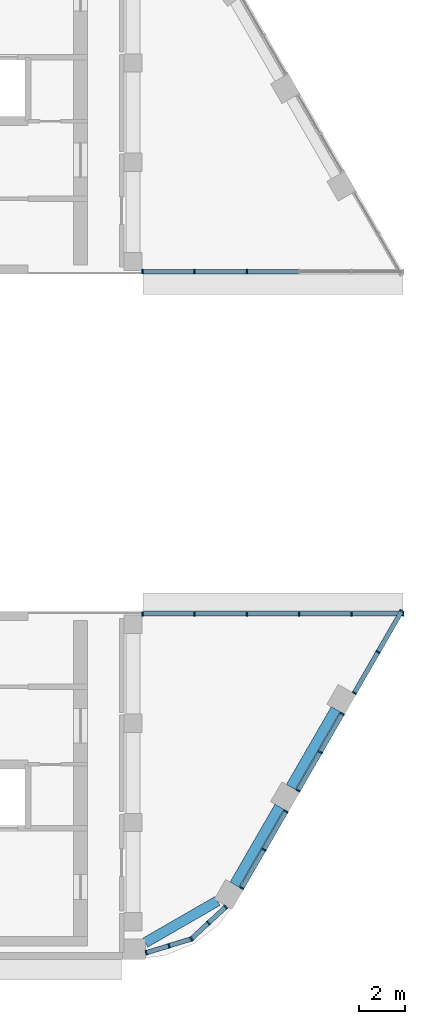
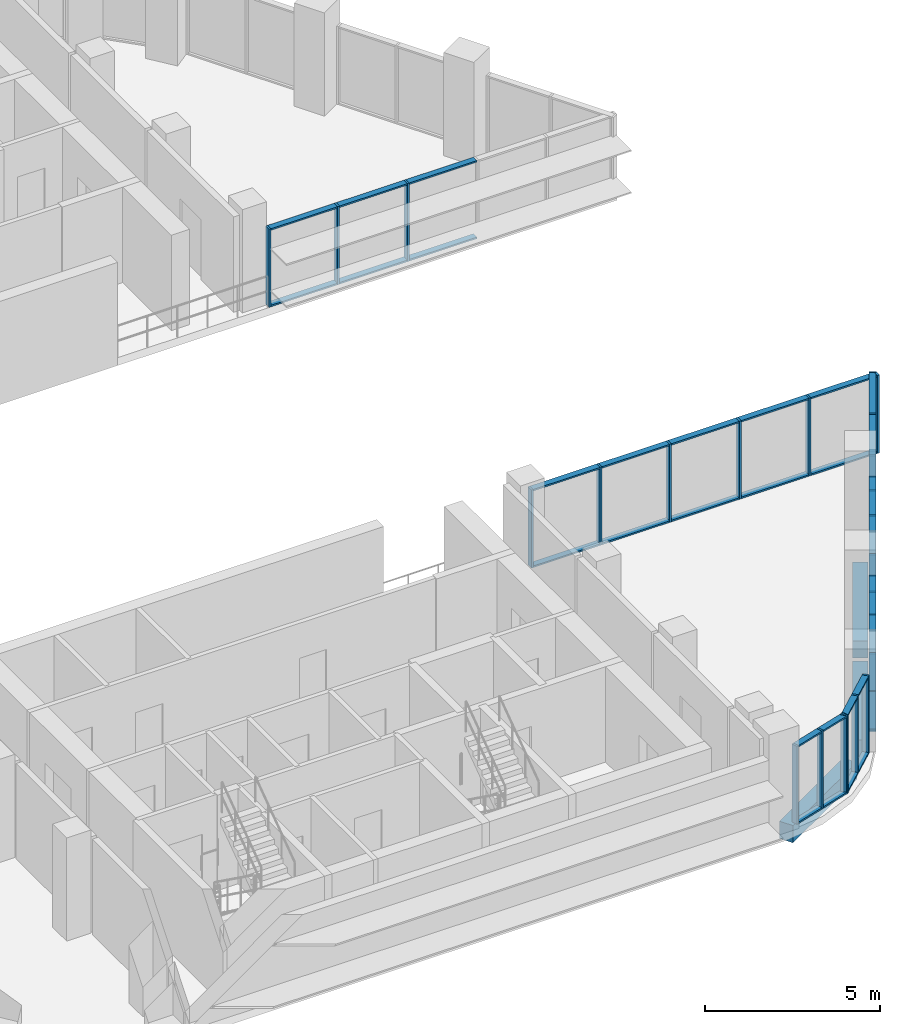
# One storey, part 4 of 15: 60 members, 3 beams, 7 elements without a shape of their own.
"""IFC4 building model written with IfcOpenShell, lengths in metres."""

from ifc_helpers import new_model, si_unit, direction, frame, origin, origin_2d, place, context, subcontext, project, spatial, rectangle, extrude, material, layer, layer_set, material_profile, profile_set, type_object, element, aggregate, save


model = new_model("IFC4")

# Units and contexts
model_context = context("Model", 3, precision=1e-05, world=origin(), true_north=direction((0.0, 1.0)))
body_context = subcontext(model_context, "Body", "Model", "MODEL_VIEW")
ifc_project = project(units=[si_unit("LENGTHUNIT", "METRE"), si_unit("AREAUNIT", "SQUARE_METRE"), si_unit("VOLUMEUNIT", "CUBIC_METRE"), si_unit("PLANEANGLEUNIT", "RADIAN"), si_unit("MASSUNIT", "GRAM", prefix="KILO")], contexts=[model_context])

# Site, building, storey
site_placement = place(None, origin())
site = spatial("IfcSite", under=ifc_project, at=site_placement, CompositionType="ELEMENT")
building_placement = place(site_placement, origin())
building = spatial("IfcBuilding", under=site, at=building_placement, Name="Nakaniwa Court", CompositionType="ELEMENT")
storey_placement = place(building_placement, frame((0.0, 0.0, 283.199951171875)))
storey = spatial("IfcBuildingStorey", under=building, at=storey_placement, Name="C04", CompositionType="ELEMENT", Elevation=283.199951171875)

# Beams
ifc_material_1 = material(Name="Concrete C80/100", Category="concrete")
ifc_material_profile_1 = material_profile(ifc_material_1, rectangle(XDim=0.449951171875, YDim=0.60009765625, at=origin_2d()), Name="Concrete C80/100 RC 450x600 spandrel beam")
ifc_profile_set_1 = profile_set([ifc_material_profile_1], Name="Concrete C80/100")
beam_type = type_object("IfcBeamType", Name="Concrete C80/100 RC 450x600 spandrel beam", PredefinedType="BEAM", material=ifc_profile_set_1)
beam_placement = place(storey_placement, frame((90.53955078125, 58.08837890625, -0.574951171875), z_axis=(0.866335820263, 0.49946195704, 0.0), x_axis=(-0.49946195704, 0.866335820263, 0.0)))
element("IfcBeam", 1, at=beam_placement, inside=storey, type_object=beam_type, Name="SPANDREL BEAM", PredefinedType="BEAM", context=body_context, shape_type="SweptSolid", body=[
    extrude(rectangle(XDim=0.449951171875, YDim=0.60009765625, at=origin_2d()), origin(), (0.0, 0.0, 1.0), 3.6513671875),
])
for number, where, z_axis, x_axis, name in (
    (2, (94.453125, 60.633544921875, -0.574951171875), (0.499974795965, 0.866039954852, 0.0), (-0.866039954852, 0.499974795965, 0.0), "SPANDREL BEAM"),
    (3, (96.921142578125, 64.908447265625, -0.574951171875), (0.500021313302, 0.866013098194, 0.0), (-0.866013098194, 0.500021313302, 0.0), "SPANDREL BEAM"),
):
    element("IfcBeam", number, at=place(storey_placement, frame(where, z_axis=z_axis, x_axis=x_axis)), inside=storey, type_object=beam_type, Name=name, PredefinedType="BEAM", context=body_context, shape_type="SweptSolid", body=[
        extrude(rectangle(XDim=0.449951171875, YDim=0.60009765625, at=origin_2d()), origin(), (0.0, 0.0, 1.0), 3.936279296875),
    ])

# Curtain wall, members
ifc_material_2 = material(Name="Black anodised aluminium frame with dark low-E laminated double glazing", Category="aluminium")
ifc_layer = layer(ifc_material_2, 0.199951171875)
ifc_layer_set = layer_set([ifc_layer], Name="Black anodised aluminium frame with dark low-E laminated double glazing")
curtain_wall_type = type_object("IfcCurtainWallType", Name="Crown curtain wall", PredefinedType="NOTDEFINED", material=ifc_layer_set)
curtain_wall_1_placement = place(storey_placement, origin())
curtain_wall_1 = element("IfcCurtainWall", 4, at=curtain_wall_1_placement, inside=storey, type_object=curtain_wall_type, Name="C04 curtain wall CW4 00", PredefinedType="NOTDEFINED")
ifc_material_3 = material(Name="Black anodised aluminium extrusion", Category="aluminium")
ifc_material_profile_2 = material_profile(ifc_material_3, rectangle(XDim=0.199951171875, YDim=0.06494140625, at=origin_2d()), Name="Crown curtain wall mullion 65x200")
ifc_profile_set_2 = profile_set([ifc_material_profile_2], Name="Black anodised aluminium extrusion")
member_type_1 = type_object("IfcMemberType", Name="Crown curtain wall mullion 65x200", PredefinedType="MULLION", material=ifc_profile_set_2)
member_1_placement = place(storey_placement, frame((94.7705078125, 60.483154296875, 0.0), z_axis=(0.0, 0.0, 1.0), x_axis=(-0.866033174523, 0.499986540445, 0.0)))
member_1 = element("IfcMember", 5, at=member_1_placement, type_object=member_type_1, Name="CW4 mullion 1", PredefinedType="MULLION", context=body_context, shape_type="SweptSolid", body=[
    extrude(rectangle(XDim=0.199951171875, YDim=0.06494140625, at=origin_2d()), origin(), (0.0, 0.0, 1.0), 2.72509765625),
])
member_2_placement = place(storey_placement, frame((95.740234375, 62.162841796875, 0.0), z_axis=(0.0, 0.0, 1.0), x_axis=(-0.866033174523, 0.499986540445, 0.0)))
member_2 = element("IfcMember", 6, at=member_2_placement, type_object=member_type_1, Name="CW4 mullion 2", PredefinedType="MULLION", context=body_context, shape_type="SweptSolid", body=[
    extrude(rectangle(XDim=0.199951171875, YDim=0.06494140625, at=origin_2d()), origin(), (0.0, 0.0, 1.0), 2.72509765625),
])
member_3_placement = place(storey_placement, frame((96.7099609375, 63.8427734375, 0.0), z_axis=(0.0, 0.0, 1.0), x_axis=(-0.866033174523, 0.499986540445, 0.0)))
member_3 = element("IfcMember", 7, at=member_3_placement, type_object=member_type_1, Name="CW4 mullion 3", PredefinedType="MULLION", context=body_context, shape_type="SweptSolid", body=[
    extrude(rectangle(XDim=0.199951171875, YDim=0.06494140625, at=origin_2d()), origin(), (0.0, 0.0, 1.0), 2.72509765625),
])

curtain_wall_2_placement = place(storey_placement, origin())
curtain_wall_2 = element("IfcCurtainWall", 8, at=curtain_wall_2_placement, inside=storey, type_object=curtain_wall_type, Name="C04 curtain wall CW4 01", PredefinedType="NOTDEFINED")
member_4_placement = place(storey_placement, frame((97.238525390625, 64.758056640625, 0.0), z_axis=(0.0, 0.0, 1.0), x_axis=(-0.866033174523, 0.499986540445, 0.0)))
member_4 = element("IfcMember", 9, at=member_4_placement, type_object=member_type_1, Name="CW4 mullion 1", PredefinedType="MULLION", context=body_context, shape_type="SweptSolid", body=[
    extrude(rectangle(XDim=0.199951171875, YDim=0.06494140625, at=origin_2d()), origin(), (0.0, 0.0, 1.0), 2.72509765625),
])
member_5_placement = place(storey_placement, frame((98.208251953125, 66.437744140625, 0.0), z_axis=(0.0, 0.0, 1.0), x_axis=(-0.866033174523, 0.499986540445, 0.0)))
member_5 = element("IfcMember", 10, at=member_5_placement, type_object=member_type_1, Name="CW4 mullion 2", PredefinedType="MULLION", context=body_context, shape_type="SweptSolid", body=[
    extrude(rectangle(XDim=0.199951171875, YDim=0.06494140625, at=origin_2d()), origin(), (0.0, 0.0, 1.0), 2.72509765625),
])
member_6_placement = place(storey_placement, frame((99.17822265625, 68.11767578125, 0.0), z_axis=(0.0, 0.0, 1.0), x_axis=(-0.866033174523, 0.499986540445, 0.0)))
member_6 = element("IfcMember", 11, at=member_6_placement, type_object=member_type_1, Name="CW4 mullion 3", PredefinedType="MULLION", context=body_context, shape_type="SweptSolid", body=[
    extrude(rectangle(XDim=0.199951171875, YDim=0.06494140625, at=origin_2d()), origin(), (0.0, 0.0, 1.0), 2.72509765625),
])

curtain_wall_3_placement = place(storey_placement, origin())
curtain_wall_3 = element("IfcCurtainWall", 12, at=curtain_wall_3_placement, inside=storey, type_object=curtain_wall_type, Name="C04 curtain wall CW4 02", PredefinedType="NOTDEFINED")
member_7_placement = place(storey_placement, frame((99.70654296875, 69.032958984375, 0.0), z_axis=(0.0, 0.0, 1.0), x_axis=(-0.866021000852, 0.500007626024, 0.0)))
member_7 = element("IfcMember", 13, at=member_7_placement, type_object=member_type_1, Name="CW4 mullion 1", PredefinedType="MULLION", context=body_context, shape_type="SweptSolid", body=[
    extrude(rectangle(XDim=0.199951171875, YDim=0.06494140625, at=origin_2d()), origin(), (0.0, 0.0, 1.0), 2.72509765625),
])
member_8_placement = place(storey_placement, frame((100.74267578125, 70.827392578125, 0.0), z_axis=(0.0, 0.0, 1.0), x_axis=(-0.866021000852, 0.500007626024, 0.0)))
member_8 = element("IfcMember", 14, at=member_8_placement, type_object=member_type_1, Name="CW4 mullion 2", PredefinedType="MULLION", context=body_context, shape_type="SweptSolid", body=[
    extrude(rectangle(XDim=0.199951171875, YDim=0.06494140625, at=origin_2d()), origin(), (0.0, 0.0, 1.0), 2.72509765625),
])
member_9_placement = place(storey_placement, frame((101.77880859375, 72.621826171875, 0.0), z_axis=(0.0, 0.0, 1.0), x_axis=(-0.866021000852, 0.500007626024, 0.0)))
member_9 = element("IfcMember", 15, at=member_9_placement, type_object=member_type_1, Name="CW4 mullion 3", PredefinedType="MULLION", context=body_context, shape_type="SweptSolid", body=[
    extrude(rectangle(XDim=0.199951171875, YDim=0.06494140625, at=origin_2d()), origin(), (0.0, 0.0, 1.0), 2.72509765625),
])

curtain_wall_4_placement = place(storey_placement, origin())
curtain_wall_4 = element("IfcCurtainWall", 16, at=curtain_wall_4_placement, inside=storey, type_object=curtain_wall_type, Name="C04 curtain wall CW4 03", PredefinedType="NOTDEFINED")
member_10_placement = place(storey_placement, frame((101.84912109375, 72.5, 0.0), z_axis=(0.0, 0.0, 1.0), x_axis=(0.0, -1.0, 0.0)))
member_10 = element("IfcMember", 17, at=member_10_placement, type_object=member_type_1, Name="CW4 mullion 1", PredefinedType="MULLION", context=body_context, shape_type="SweptSolid", body=[
    extrude(rectangle(XDim=0.199951171875, YDim=0.06494140625, at=origin_2d()), origin(), (0.0, 0.0, 1.0), 2.72509765625),
])
member_11_placement = place(storey_placement, frame((99.58447265625, 72.5, 0.0), z_axis=(0.0, 0.0, 1.0), x_axis=(0.0, -1.0, 0.0)))
member_11 = element("IfcMember", 18, at=member_11_placement, type_object=member_type_1, Name="CW4 mullion 2", PredefinedType="MULLION", context=body_context, shape_type="SweptSolid", body=[
    extrude(rectangle(XDim=0.199951171875, YDim=0.06494140625, at=origin_2d()), origin(), (0.0, 0.0, 1.0), 2.72509765625),
])
member_12_placement = place(storey_placement, frame((97.287353515625, 72.5, 0.0), z_axis=(0.0, 0.0, 1.0), x_axis=(0.0, -1.0, 0.0)))
member_12 = element("IfcMember", 19, at=member_12_placement, type_object=member_type_1, Name="CW4 mullion 3", PredefinedType="MULLION", context=body_context, shape_type="SweptSolid", body=[
    extrude(rectangle(XDim=0.199951171875, YDim=0.06494140625, at=origin_2d()), origin(), (0.0, 0.0, 1.0), 2.72509765625),
])
member_13_placement = place(storey_placement, frame((94.990234375, 72.5, 0.0), z_axis=(0.0, 0.0, 1.0), x_axis=(0.0, -1.0, 0.0)))
member_13 = element("IfcMember", 20, at=member_13_placement, type_object=member_type_1, Name="CW4 mullion 4", PredefinedType="MULLION", context=body_context, shape_type="SweptSolid", body=[
    extrude(rectangle(XDim=0.199951171875, YDim=0.06494140625, at=origin_2d()), origin(), (0.0, 0.0, 1.0), 2.72509765625),
])
member_14_placement = place(storey_placement, frame((92.693115234375, 72.5, 0.0), z_axis=(0.0, 0.0, 1.0), x_axis=(0.0, -1.0, 0.0)))
member_14 = element("IfcMember", 21, at=member_14_placement, type_object=member_type_1, Name="CW4 mullion 5", PredefinedType="MULLION", context=body_context, shape_type="SweptSolid", body=[
    extrude(rectangle(XDim=0.199951171875, YDim=0.06494140625, at=origin_2d()), origin(), (0.0, 0.0, 1.0), 2.72509765625),
])
member_15_placement = place(storey_placement, frame((90.428466796875, 72.5, 0.0), z_axis=(0.0, 0.0, 1.0), x_axis=(0.0, -1.0, 0.0)))
member_15 = element("IfcMember", 22, at=member_15_placement, type_object=member_type_1, Name="CW4 mullion 6", PredefinedType="MULLION", context=body_context, shape_type="SweptSolid", body=[
    extrude(rectangle(XDim=0.199951171875, YDim=0.06494140625, at=origin_2d()), origin(), (0.0, 0.0, 1.0), 2.72509765625),
])

curtain_wall_5_placement = place(storey_placement, origin())
curtain_wall_5 = element("IfcCurtainWall", 23, at=curtain_wall_5_placement, inside=storey, type_object=curtain_wall_type, Name="C04 curtain wall CW4 11", PredefinedType="NOTDEFINED")
member_16_placement = place(storey_placement, frame((90.58154296875, 57.644775390625, 0.0), z_axis=(0.0, 0.0, 1.0), x_axis=(-0.293060253821, 0.956093974267, 0.0)))
member_16 = element("IfcMember", 24, at=member_16_placement, type_object=member_type_1, Name="CW4 mullion 1", PredefinedType="MULLION", context=body_context, shape_type="SweptSolid", body=[
    extrude(rectangle(XDim=0.199951171875, YDim=0.06494140625, at=origin_2d()), origin(), (0.0, 0.0, 1.0), 2.72509765625),
])
member_17_placement = place(storey_placement, frame((91.5791015625, 57.950439453125, 0.0), z_axis=(0.0, 0.0, 1.0), x_axis=(-0.293060253821, 0.956093974267, 0.0)))
member_17 = element("IfcMember", 25, at=member_17_placement, type_object=member_type_1, Name="CW4 mullion 2", PredefinedType="MULLION", context=body_context, shape_type="SweptSolid", body=[
    extrude(rectangle(XDim=0.199951171875, YDim=0.06494140625, at=origin_2d()), origin(), (0.0, 0.0, 1.0), 2.72509765625),
])
member_18_placement = place(storey_placement, frame((92.57666015625, 58.25634765625, 0.0), z_axis=(0.0, 0.0, 1.0), x_axis=(-0.293060253821, 0.956093974267, 0.0)))
member_18 = element("IfcMember", 26, at=member_18_placement, type_object=member_type_1, Name="CW4 mullion 3", PredefinedType="MULLION", context=body_context, shape_type="SweptSolid", body=[
    extrude(rectangle(XDim=0.199951171875, YDim=0.06494140625, at=origin_2d()), origin(), (0.0, 0.0, 1.0), 2.72509765625),
])

curtain_wall_6_placement = place(storey_placement, origin())
curtain_wall_6 = element("IfcCurtainWall", 27, at=curtain_wall_6_placement, inside=storey, type_object=curtain_wall_type, Name="C04 curtain wall CW4 12", PredefinedType="NOTDEFINED")
member_19_placement = place(storey_placement, frame((92.54296875, 58.236083984375, 0.0), z_axis=(0.0, 0.0, 1.0), x_axis=(-0.681181788002, 0.732114316001, 0.0)))
member_19 = element("IfcMember", 28, at=member_19_placement, type_object=member_type_1, Name="CW4 mullion 1", PredefinedType="MULLION", context=body_context, shape_type="SweptSolid", body=[
    extrude(rectangle(XDim=0.199951171875, YDim=0.06494140625, at=origin_2d()), origin(), (0.0, 0.0, 1.0), 2.72509765625),
])
member_20_placement = place(storey_placement, frame((93.3046875, 58.94482421875, 0.0), z_axis=(0.0, 0.0, 1.0), x_axis=(-0.681181788002, 0.732114316001, 0.0)))
member_20 = element("IfcMember", 29, at=member_20_placement, type_object=member_type_1, Name="CW4 mullion 2", PredefinedType="MULLION", context=body_context, shape_type="SweptSolid", body=[
    extrude(rectangle(XDim=0.199951171875, YDim=0.06494140625, at=origin_2d()), origin(), (0.0, 0.0, 1.0), 2.72509765625),
])
member_21_placement = place(storey_placement, frame((94.06640625, 59.653564453125, 0.0), z_axis=(0.0, 0.0, 1.0), x_axis=(-0.681181788002, 0.732114316001, 0.0)))
member_21 = element("IfcMember", 30, at=member_21_placement, type_object=member_type_1, Name="CW4 mullion 3", PredefinedType="MULLION", context=body_context, shape_type="SweptSolid", body=[
    extrude(rectangle(XDim=0.199951171875, YDim=0.06494140625, at=origin_2d()), origin(), (0.0, 0.0, 1.0), 2.72509765625),
])

curtain_wall_7_placement = place(storey_placement, origin())
curtain_wall_7 = element("IfcCurtainWall", 31, at=curtain_wall_7_placement, inside=storey, type_object=curtain_wall_type, Name="C04 curtain wall CW4 17", PredefinedType="NOTDEFINED")
member_22_placement = place(storey_placement, frame((90.428466796875, 87.5, 0.0), z_axis=(0.0, 0.0, 1.0), x_axis=(0.0, 1.0, 0.0)))
member_22 = element("IfcMember", 32, at=member_22_placement, type_object=member_type_1, Name="CW4 mullion 1", PredefinedType="MULLION", context=body_context, shape_type="SweptSolid", body=[
    extrude(rectangle(XDim=0.199951171875, YDim=0.06494140625, at=origin_2d()), origin(), (0.0, 0.0, 1.0), 2.72509765625),
])
member_23_placement = place(storey_placement, frame((92.693115234375, 87.5, 0.0), z_axis=(0.0, 0.0, 1.0), x_axis=(0.0, 1.0, 0.0)))
member_23 = element("IfcMember", 33, at=member_23_placement, type_object=member_type_1, Name="CW4 mullion 2", PredefinedType="MULLION", context=body_context, shape_type="SweptSolid", body=[
    extrude(rectangle(XDim=0.199951171875, YDim=0.06494140625, at=origin_2d()), origin(), (0.0, 0.0, 1.0), 2.72509765625),
])
member_24_placement = place(storey_placement, frame((94.990234375, 87.5, 0.0), z_axis=(0.0, 0.0, 1.0), x_axis=(0.0, 1.0, 0.0)))
member_24 = element("IfcMember", 34, at=member_24_placement, type_object=member_type_1, Name="CW4 mullion 3", PredefinedType="MULLION", context=body_context, shape_type="SweptSolid", body=[
    extrude(rectangle(XDim=0.199951171875, YDim=0.06494140625, at=origin_2d()), origin(), (0.0, 0.0, 1.0), 2.72509765625),
])

# Member
ifc_material_profile_3 = material_profile(ifc_material_3, rectangle(XDim=0.199951171875, YDim=0.054931640625, at=origin_2d()), Name="Crown curtain wall transom 55x200")
ifc_profile_set_3 = profile_set([ifc_material_profile_3], Name="Black anodised aluminium extrusion")
member_type_2 = type_object("IfcMemberType", Name="Crown curtain wall transom 55x200", PredefinedType="USERDEFINED", material=ifc_profile_set_3)
member_25_placement = place(storey_placement, frame((94.78662109375, 60.51123046875, 0.027587890625), z_axis=(0.500060622324, 0.86599040064, 0.0), x_axis=(-0.86599040064, 0.500060622324, 0.0)))
member_25 = element("IfcMember", 35, at=member_25_placement, type_object=member_type_2, Name="CW4 transom 1.1", ObjectType="TRANSOM", PredefinedType="USERDEFINED", context=body_context, shape_type="SweptSolid", body=[
    extrude(rectangle(XDim=0.199951171875, YDim=0.054931640625, at=origin_2d()), origin(), (0.0, 0.0, 1.0), 1.874755859375),
])

member_26_placement = place(storey_placement, frame((94.78662109375, 60.51123046875, 2.697509765625), z_axis=(0.500060622324, 0.86599040064, 0.0), x_axis=(-0.86599040064, 0.500060622324, 0.0)))
member_26 = element("IfcMember", 36, at=member_26_placement, type_object=member_type_2, Name="CW4 transom 1.2", ObjectType="TRANSOM", PredefinedType="USERDEFINED", context=body_context, shape_type="SweptSolid", body=[
    extrude(rectangle(XDim=0.199951171875, YDim=0.054931640625, at=origin_2d()), origin(), (0.0, 0.0, 1.0), 1.874755859375),
])

member_27_placement = place(storey_placement, frame((95.756591796875, 62.191162109375, 0.027587890625), z_axis=(0.499962952589, 0.86604679206, 0.0), x_axis=(-0.86604679206, 0.499962952589, 0.0)))
member_27 = element("IfcMember", 37, at=member_27_placement, type_object=member_type_2, Name="CW4 transom 2.1", ObjectType="TRANSOM", PredefinedType="USERDEFINED", context=body_context, shape_type="SweptSolid", body=[
    extrude(rectangle(XDim=0.199951171875, YDim=0.054931640625, at=origin_2d()), origin(), (0.0, 0.0, 1.0), 1.874755859375),
])

member_28_placement = place(storey_placement, frame((95.756591796875, 62.191162109375, 2.697509765625), z_axis=(0.499962952589, 0.86604679206, 0.0), x_axis=(-0.86604679206, 0.499962952589, 0.0)))
member_28 = element("IfcMember", 38, at=member_28_placement, type_object=member_type_2, Name="CW4 transom 2.2", ObjectType="TRANSOM", PredefinedType="USERDEFINED", context=body_context, shape_type="SweptSolid", body=[
    extrude(rectangle(XDim=0.199951171875, YDim=0.054931640625, at=origin_2d()), origin(), (0.0, 0.0, 1.0), 1.874755859375),
])

aggregate(curtain_wall_1, [member_1, member_2, member_3, member_25, member_26, member_27, member_28])

member_29_placement = place(storey_placement, frame((97.2548828125, 64.7861328125, 0.027587890625), z_axis=(0.499962952589, 0.86604679206, 0.0), x_axis=(-0.86604679206, 0.499962952589, 0.0)))
member_29 = element("IfcMember", 39, at=member_29_placement, type_object=member_type_2, Name="CW4 transom 1.1", ObjectType="TRANSOM", PredefinedType="USERDEFINED", context=body_context, shape_type="SweptSolid", body=[
    extrude(rectangle(XDim=0.199951171875, YDim=0.054931640625, at=origin_2d()), origin(), (0.0, 0.0, 1.0), 1.874755859375),
])

member_30_placement = place(storey_placement, frame((97.2548828125, 64.7861328125, 2.697509765625), z_axis=(0.499962952589, 0.86604679206, 0.0), x_axis=(-0.86604679206, 0.499962952589, 0.0)))
member_30 = element("IfcMember", 40, at=member_30_placement, type_object=member_type_2, Name="CW4 transom 1.2", ObjectType="TRANSOM", PredefinedType="USERDEFINED", context=body_context, shape_type="SweptSolid", body=[
    extrude(rectangle(XDim=0.199951171875, YDim=0.054931640625, at=origin_2d()), origin(), (0.0, 0.0, 1.0), 1.874755859375),
])

member_31_placement = place(storey_placement, frame((98.224609375, 66.466064453125, 0.027587890625), z_axis=(0.499962952589, 0.86604679206, 0.0), x_axis=(-0.86604679206, 0.499962952589, 0.0)))
member_31 = element("IfcMember", 41, at=member_31_placement, type_object=member_type_2, Name="CW4 transom 2.1", ObjectType="TRANSOM", PredefinedType="USERDEFINED", context=body_context, shape_type="SweptSolid", body=[
    extrude(rectangle(XDim=0.199951171875, YDim=0.054931640625, at=origin_2d()), origin(), (0.0, 0.0, 1.0), 1.874755859375),
])

member_32_placement = place(storey_placement, frame((98.224609375, 66.466064453125, 2.697509765625), z_axis=(0.499962952589, 0.86604679206, 0.0), x_axis=(-0.86604679206, 0.499962952589, 0.0)))
member_32 = element("IfcMember", 42, at=member_32_placement, type_object=member_type_2, Name="CW4 transom 2.2", ObjectType="TRANSOM", PredefinedType="USERDEFINED", context=body_context, shape_type="SweptSolid", body=[
    extrude(rectangle(XDim=0.199951171875, YDim=0.054931640625, at=origin_2d()), origin(), (0.0, 0.0, 1.0), 1.874755859375),
])

aggregate(curtain_wall_2, [member_4, member_5, member_6, member_29, member_30, member_31, member_32])

member_33_placement = place(storey_placement, frame((99.722900390625, 69.06103515625, 0.027587890625), z_axis=(0.500024272756, 0.866011389449, 0.0), x_axis=(-0.866011389449, 0.500024272756, 0.0)))
member_33 = element("IfcMember", 43, at=member_33_placement, type_object=member_type_2, Name="CW4 transom 1.1", ObjectType="TRANSOM", PredefinedType="USERDEFINED", context=body_context, shape_type="SweptSolid", body=[
    extrude(rectangle(XDim=0.199951171875, YDim=0.054931640625, at=origin_2d()), origin(), (0.0, 0.0, 1.0), 2.00732421875),
])

member_34_placement = place(storey_placement, frame((99.722900390625, 69.06103515625, 2.697509765625), z_axis=(0.500024272756, 0.866011389449, 0.0), x_axis=(-0.866011389449, 0.500024272756, 0.0)))
member_34 = element("IfcMember", 44, at=member_34_placement, type_object=member_type_2, Name="CW4 transom 1.2", ObjectType="TRANSOM", PredefinedType="USERDEFINED", context=body_context, shape_type="SweptSolid", body=[
    extrude(rectangle(XDim=0.199951171875, YDim=0.054931640625, at=origin_2d()), origin(), (0.0, 0.0, 1.0), 2.00732421875),
])

member_35_placement = place(storey_placement, frame((100.759033203125, 70.85546875, 0.027587890625), z_axis=(0.499933044277, 0.866064057238, 0.0), x_axis=(-0.866064057238, 0.499933044277, 0.0)))
member_35 = element("IfcMember", 45, at=member_35_placement, type_object=member_type_2, Name="CW4 transom 2.1", ObjectType="TRANSOM", PredefinedType="USERDEFINED", context=body_context, shape_type="SweptSolid", body=[
    extrude(rectangle(XDim=0.199951171875, YDim=0.054931640625, at=origin_2d()), origin(), (0.0, 0.0, 1.0), 2.007080078125),
])

member_36_placement = place(storey_placement, frame((100.759033203125, 70.85546875, 2.697509765625), z_axis=(0.499933044277, 0.866064057238, 0.0), x_axis=(-0.866064057238, 0.499933044277, 0.0)))
member_36 = element("IfcMember", 46, at=member_36_placement, type_object=member_type_2, Name="CW4 transom 2.2", ObjectType="TRANSOM", PredefinedType="USERDEFINED", context=body_context, shape_type="SweptSolid", body=[
    extrude(rectangle(XDim=0.199951171875, YDim=0.054931640625, at=origin_2d()), origin(), (0.0, 0.0, 1.0), 2.007080078125),
])

aggregate(curtain_wall_3, [member_7, member_8, member_9, member_33, member_34, member_35, member_36])

member_37_placement = place(storey_placement, frame((101.816650390625, 72.5, 0.027587890625), z_axis=(-1.0, 0.0, 0.0), x_axis=(0.0, -1.0, 0.0)))
member_37 = element("IfcMember", 47, at=member_37_placement, type_object=member_type_2, Name="CW4 transom 1.1", ObjectType="TRANSOM", PredefinedType="USERDEFINED", context=body_context, shape_type="SweptSolid", body=[
    extrude(rectangle(XDim=0.199951171875, YDim=0.054931640625, at=origin_2d()), origin(), (0.0, 0.0, 1.0), 2.19970703125),
])

member_38_placement = place(storey_placement, frame((101.816650390625, 72.5, 2.697509765625), z_axis=(-1.0, 0.0, 0.0), x_axis=(0.0, -1.0, 0.0)))
member_38 = element("IfcMember", 48, at=member_38_placement, type_object=member_type_2, Name="CW4 transom 1.2", ObjectType="TRANSOM", PredefinedType="USERDEFINED", context=body_context, shape_type="SweptSolid", body=[
    extrude(rectangle(XDim=0.199951171875, YDim=0.054931640625, at=origin_2d()), origin(), (0.0, 0.0, 1.0), 2.19970703125),
])

member_39_placement = place(storey_placement, frame((99.552001953125, 72.5, 0.027587890625), z_axis=(-1.0, 0.0, 0.0), x_axis=(0.0, -1.0, 0.0)))
member_39 = element("IfcMember", 49, at=member_39_placement, type_object=member_type_2, Name="CW4 transom 2.1", ObjectType="TRANSOM", PredefinedType="USERDEFINED", context=body_context, shape_type="SweptSolid", body=[
    extrude(rectangle(XDim=0.199951171875, YDim=0.054931640625, at=origin_2d()), origin(), (0.0, 0.0, 1.0), 2.232177734375),
])

member_40_placement = place(storey_placement, frame((99.552001953125, 72.5, 2.697509765625), z_axis=(-1.0, 0.0, 0.0), x_axis=(0.0, -1.0, 0.0)))
member_40 = element("IfcMember", 50, at=member_40_placement, type_object=member_type_2, Name="CW4 transom 2.2", ObjectType="TRANSOM", PredefinedType="USERDEFINED", context=body_context, shape_type="SweptSolid", body=[
    extrude(rectangle(XDim=0.199951171875, YDim=0.054931640625, at=origin_2d()), origin(), (0.0, 0.0, 1.0), 2.232177734375),
])

member_41_placement = place(storey_placement, frame((97.2548828125, 72.5, 0.027587890625), z_axis=(-1.0, 0.0, 0.0), x_axis=(0.0, -1.0, 0.0)))
member_41 = element("IfcMember", 51, at=member_41_placement, type_object=member_type_2, Name="CW4 transom 3.1", ObjectType="TRANSOM", PredefinedType="USERDEFINED", context=body_context, shape_type="SweptSolid", body=[
    extrude(rectangle(XDim=0.199951171875, YDim=0.054931640625, at=origin_2d()), origin(), (0.0, 0.0, 1.0), 2.232177734375),
])

member_42_placement = place(storey_placement, frame((97.2548828125, 72.5, 2.697509765625), z_axis=(-1.0, 0.0, 0.0), x_axis=(0.0, -1.0, 0.0)))
member_42 = element("IfcMember", 52, at=member_42_placement, type_object=member_type_2, Name="CW4 transom 3.2", ObjectType="TRANSOM", PredefinedType="USERDEFINED", context=body_context, shape_type="SweptSolid", body=[
    extrude(rectangle(XDim=0.199951171875, YDim=0.054931640625, at=origin_2d()), origin(), (0.0, 0.0, 1.0), 2.232177734375),
])

member_43_placement = place(storey_placement, frame((94.957763671875, 72.5, 0.027587890625), z_axis=(-1.0, 0.0, 0.0), x_axis=(0.0, -1.0, 0.0)))
member_43 = element("IfcMember", 53, at=member_43_placement, type_object=member_type_2, Name="CW4 transom 4.1", ObjectType="TRANSOM", PredefinedType="USERDEFINED", context=body_context, shape_type="SweptSolid", body=[
    extrude(rectangle(XDim=0.199951171875, YDim=0.054931640625, at=origin_2d()), origin(), (0.0, 0.0, 1.0), 2.232177734375),
])

member_44_placement = place(storey_placement, frame((94.957763671875, 72.5, 2.697509765625), z_axis=(-1.0, 0.0, 0.0), x_axis=(0.0, -1.0, 0.0)))
member_44 = element("IfcMember", 54, at=member_44_placement, type_object=member_type_2, Name="CW4 transom 4.2", ObjectType="TRANSOM", PredefinedType="USERDEFINED", context=body_context, shape_type="SweptSolid", body=[
    extrude(rectangle(XDim=0.199951171875, YDim=0.054931640625, at=origin_2d()), origin(), (0.0, 0.0, 1.0), 2.232177734375),
])

member_45_placement = place(storey_placement, frame((92.66064453125, 72.5, 0.027587890625), z_axis=(-1.0, 0.0, 0.0), x_axis=(0.0, -1.0, 0.0)))
member_45 = element("IfcMember", 55, at=member_45_placement, type_object=member_type_2, Name="CW4 transom 5.1", ObjectType="TRANSOM", PredefinedType="USERDEFINED", context=body_context, shape_type="SweptSolid", body=[
    extrude(rectangle(XDim=0.199951171875, YDim=0.054931640625, at=origin_2d()), origin(), (0.0, 0.0, 1.0), 2.19970703125),
])

member_46_placement = place(storey_placement, frame((92.66064453125, 72.5, 2.697509765625), z_axis=(-1.0, 0.0, 0.0), x_axis=(0.0, -1.0, 0.0)))
member_46 = element("IfcMember", 56, at=member_46_placement, type_object=member_type_2, Name="CW4 transom 5.2", ObjectType="TRANSOM", PredefinedType="USERDEFINED", context=body_context, shape_type="SweptSolid", body=[
    extrude(rectangle(XDim=0.199951171875, YDim=0.054931640625, at=origin_2d()), origin(), (0.0, 0.0, 1.0), 2.19970703125),
])

aggregate(curtain_wall_4, [member_10, member_11, member_12, member_13, member_14, member_15, member_37, member_38, member_39, member_40, member_41, member_42, member_43, member_44, member_45, member_46])

member_47_placement = place(storey_placement, frame((90.612548828125, 57.654296875, 0.027587890625), z_axis=(0.956134370187, 0.292928431785, 0.0), x_axis=(-0.292928431785, 0.956134370187, 0.0)))
member_47 = element("IfcMember", 57, at=member_47_placement, type_object=member_type_2, Name="CW4 transom 1.1", ObjectType="TRANSOM", PredefinedType="USERDEFINED", context=body_context, shape_type="SweptSolid", body=[
    extrude(rectangle(XDim=0.199951171875, YDim=0.054931640625, at=origin_2d()), origin(), (0.0, 0.0, 1.0), 0.978515625),
])

member_48_placement = place(storey_placement, frame((90.612548828125, 57.654296875, 2.697509765625), z_axis=(0.956134370187, 0.292928431785, 0.0), x_axis=(-0.292928431785, 0.956134370187, 0.0)))
member_48 = element("IfcMember", 58, at=member_48_placement, type_object=member_type_2, Name="CW4 transom 1.2", ObjectType="TRANSOM", PredefinedType="USERDEFINED", context=body_context, shape_type="SweptSolid", body=[
    extrude(rectangle(XDim=0.199951171875, YDim=0.054931640625, at=origin_2d()), origin(), (0.0, 0.0, 1.0), 0.978515625),
])

member_49_placement = place(storey_placement, frame((91.610107421875, 57.9599609375, 0.027587890625), z_axis=(0.956064464713, 0.293156509926, 0.0), x_axis=(-0.293156509926, 0.956064464713, 0.0)))
member_49 = element("IfcMember", 59, at=member_49_placement, type_object=member_type_2, Name="CW4 transom 2.1", ObjectType="TRANSOM", PredefinedType="USERDEFINED", context=body_context, shape_type="SweptSolid", body=[
    extrude(rectangle(XDim=0.199951171875, YDim=0.054931640625, at=origin_2d()), origin(), (0.0, 0.0, 1.0), 0.978515625),
])

member_50_placement = place(storey_placement, frame((91.610107421875, 57.9599609375, 2.697509765625), z_axis=(0.956064464713, 0.293156509926, 0.0), x_axis=(-0.293156509926, 0.956064464713, 0.0)))
member_50 = element("IfcMember", 60, at=member_50_placement, type_object=member_type_2, Name="CW4 transom 2.2", ObjectType="TRANSOM", PredefinedType="USERDEFINED", context=body_context, shape_type="SweptSolid", body=[
    extrude(rectangle(XDim=0.199951171875, YDim=0.054931640625, at=origin_2d()), origin(), (0.0, 0.0, 1.0), 0.978515625),
])

aggregate(curtain_wall_5, [member_16, member_17, member_18, member_47, member_48, member_49, member_50])

member_51_placement = place(storey_placement, frame((92.56689453125, 58.25830078125, 0.027587890625), z_axis=(0.732053205607, 0.681247461765, 0.0), x_axis=(-0.681247461765, 0.732053205607, 0.0)))
member_51 = element("IfcMember", 61, at=member_51_placement, type_object=member_type_2, Name="CW4 transom 1.1", ObjectType="TRANSOM", PredefinedType="USERDEFINED", context=body_context, shape_type="SweptSolid", body=[
    extrude(rectangle(XDim=0.199951171875, YDim=0.054931640625, at=origin_2d()), origin(), (0.0, 0.0, 1.0), 0.9755859375),
])

member_52_placement = place(storey_placement, frame((92.56689453125, 58.25830078125, 2.697509765625), z_axis=(0.732053205607, 0.681247461765, 0.0), x_axis=(-0.681247461765, 0.732053205607, 0.0)))
member_52 = element("IfcMember", 62, at=member_52_placement, type_object=member_type_2, Name="CW4 transom 1.2", ObjectType="TRANSOM", PredefinedType="USERDEFINED", context=body_context, shape_type="SweptSolid", body=[
    extrude(rectangle(XDim=0.199951171875, YDim=0.054931640625, at=origin_2d()), origin(), (0.0, 0.0, 1.0), 0.9755859375),
])

member_53_placement = place(storey_placement, frame((93.32861328125, 58.967041015625, 0.027587890625), z_axis=(0.732053205607, 0.681247461765, 0.0), x_axis=(-0.681247461765, 0.732053205607, 0.0)))
member_53 = element("IfcMember", 63, at=member_53_placement, type_object=member_type_2, Name="CW4 transom 2.1", ObjectType="TRANSOM", PredefinedType="USERDEFINED", context=body_context, shape_type="SweptSolid", body=[
    extrude(rectangle(XDim=0.199951171875, YDim=0.054931640625, at=origin_2d()), origin(), (0.0, 0.0, 1.0), 0.9755859375),
])

member_54_placement = place(storey_placement, frame((93.32861328125, 58.967041015625, 2.697509765625), z_axis=(0.732053205607, 0.681247461765, 0.0), x_axis=(-0.681247461765, 0.732053205607, 0.0)))
member_54 = element("IfcMember", 64, at=member_54_placement, type_object=member_type_2, Name="CW4 transom 2.2", ObjectType="TRANSOM", PredefinedType="USERDEFINED", context=body_context, shape_type="SweptSolid", body=[
    extrude(rectangle(XDim=0.199951171875, YDim=0.054931640625, at=origin_2d()), origin(), (0.0, 0.0, 1.0), 0.9755859375),
])

aggregate(curtain_wall_6, [member_19, member_20, member_21, member_51, member_52, member_53, member_54])

member_55_placement = place(storey_placement, frame((90.4609375, 87.5, 0.027587890625), z_axis=(1.0, 0.0, 0.0), x_axis=(0.0, 1.0, 0.0)))
member_55 = element("IfcMember", 65, at=member_55_placement, type_object=member_type_2, Name="CW4 transom 1.1", ObjectType="TRANSOM", PredefinedType="USERDEFINED", context=body_context, shape_type="SweptSolid", body=[
    extrude(rectangle(XDim=0.199951171875, YDim=0.054931640625, at=origin_2d()), origin(), (0.0, 0.0, 1.0), 2.19970703125),
])

member_56_placement = place(storey_placement, frame((90.4609375, 87.5, 2.697509765625), z_axis=(1.0, 0.0, 0.0), x_axis=(0.0, 1.0, 0.0)))
member_56 = element("IfcMember", 66, at=member_56_placement, type_object=member_type_2, Name="CW4 transom 1.2", ObjectType="TRANSOM", PredefinedType="USERDEFINED", context=body_context, shape_type="SweptSolid", body=[
    extrude(rectangle(XDim=0.199951171875, YDim=0.054931640625, at=origin_2d()), origin(), (0.0, 0.0, 1.0), 2.19970703125),
])

member_57_placement = place(storey_placement, frame((92.7255859375, 87.5, 0.027587890625), z_axis=(1.0, 0.0, 0.0), x_axis=(0.0, 1.0, 0.0)))
member_57 = element("IfcMember", 67, at=member_57_placement, type_object=member_type_2, Name="CW4 transom 2.1", ObjectType="TRANSOM", PredefinedType="USERDEFINED", context=body_context, shape_type="SweptSolid", body=[
    extrude(rectangle(XDim=0.199951171875, YDim=0.054931640625, at=origin_2d()), origin(), (0.0, 0.0, 1.0), 2.232177734375),
])

member_58_placement = place(storey_placement, frame((92.7255859375, 87.5, 2.697509765625), z_axis=(1.0, 0.0, 0.0), x_axis=(0.0, 1.0, 0.0)))
member_58 = element("IfcMember", 68, at=member_58_placement, type_object=member_type_2, Name="CW4 transom 2.2", ObjectType="TRANSOM", PredefinedType="USERDEFINED", context=body_context, shape_type="SweptSolid", body=[
    extrude(rectangle(XDim=0.199951171875, YDim=0.054931640625, at=origin_2d()), origin(), (0.0, 0.0, 1.0), 2.232177734375),
])

member_59_placement = place(storey_placement, frame((95.022705078125, 87.5, 0.027587890625), z_axis=(1.0, 0.0, 0.0), x_axis=(0.0, 1.0, 0.0)))
member_59 = element("IfcMember", 69, at=member_59_placement, type_object=member_type_2, Name="CW4 transom 3.1", ObjectType="TRANSOM", PredefinedType="USERDEFINED", context=body_context, shape_type="SweptSolid", body=[
    extrude(rectangle(XDim=0.199951171875, YDim=0.054931640625, at=origin_2d()), origin(), (0.0, 0.0, 1.0), 2.232177734375),
])

member_60_placement = place(storey_placement, frame((95.022705078125, 87.5, 2.697509765625), z_axis=(1.0, 0.0, 0.0), x_axis=(0.0, 1.0, 0.0)))
member_60 = element("IfcMember", 70, at=member_60_placement, type_object=member_type_2, Name="CW4 transom 3.2", ObjectType="TRANSOM", PredefinedType="USERDEFINED", context=body_context, shape_type="SweptSolid", body=[
    extrude(rectangle(XDim=0.199951171875, YDim=0.054931640625, at=origin_2d()), origin(), (0.0, 0.0, 1.0), 2.232177734375),
])

aggregate(curtain_wall_7, [member_22, member_23, member_24, member_55, member_56, member_57, member_58, member_59, member_60])

save(model, "model.ifc")
